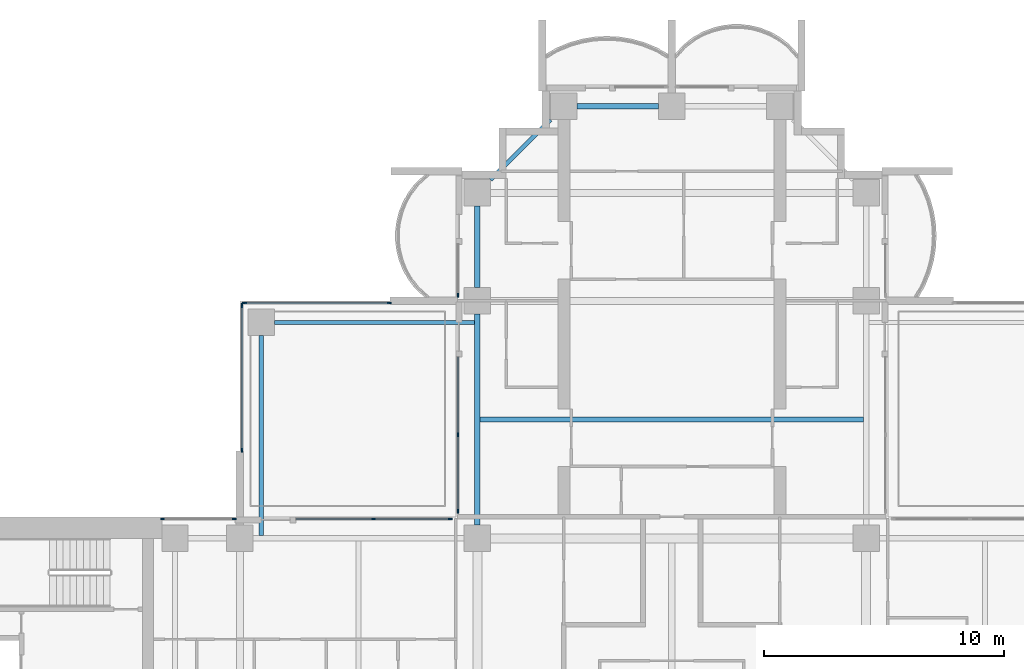
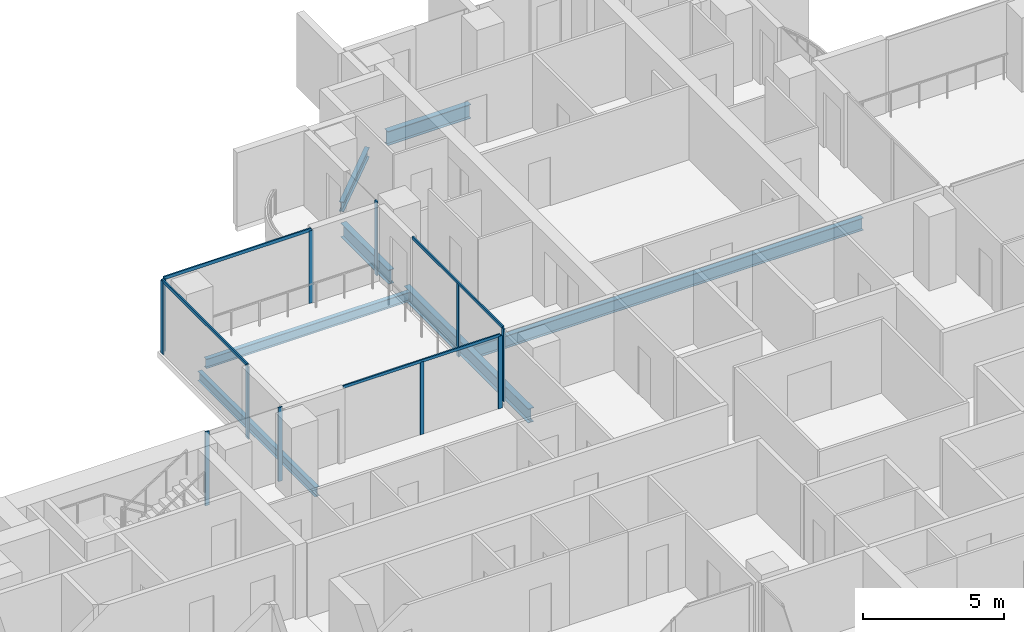
# One storey, part 5 of 19: 15 members, 7 beams, 6 elements without a shape of their own.
"""IFC4 building model written with IfcOpenShell, lengths in metres."""

from ifc_helpers import new_model, si_unit, direction, frame, origin, origin_2d, place, context, subcontext, project, spatial, rectangle, i_section, extrude, material, material_profile, profile_set, type_object, element, aggregate, save


model = new_model("IFC4")

# Units and contexts
model_context = context("Model", 3, precision=1e-05, world=origin(), true_north=direction((0.0, 1.0)))
body_context = subcontext(model_context, "Body", "Model", "MODEL_VIEW")
ifc_project = project(units=[si_unit("LENGTHUNIT", "METRE"), si_unit("AREAUNIT", "SQUARE_METRE"), si_unit("VOLUMEUNIT", "CUBIC_METRE"), si_unit("PLANEANGLEUNIT", "RADIAN"), si_unit("MASSUNIT", "GRAM", prefix="KILO")], contexts=[model_context])

# Site, building, storey
site_placement = place(None, origin())
site = spatial("IfcSite", under=ifc_project, at=site_placement, CompositionType="ELEMENT")
building_placement = place(site_placement, origin())
building = spatial("IfcBuilding", under=site, at=building_placement, Name="Perihelion Cross Residences", CompositionType="ELEMENT")
storey_placement = place(building_placement, frame((0.0, 0.0, 151.39990234375)))
storey = spatial("IfcBuildingStorey", under=building, at=storey_placement, Name="L37", CompositionType="ELEMENT", Elevation=151.39990234375)

# Curtain wall, member
ifc_material_1 = material(Name="Bronze anodised aluminium, tinted glazing", Category="aluminium")
curtain_wall_type_1 = type_object("IfcCurtainWallType", Name="CW1", PredefinedType="NOTDEFINED", material=ifc_material_1)
curtain_wall_1_placement = place(storey_placement, origin())
curtain_wall_1 = element("IfcCurtainWall", 1, at=curtain_wall_1_placement, inside=storey, type_object=curtain_wall_type_1, Name="Curtain wall CW1 L37 north side west bay 1", PredefinedType="NOTDEFINED")
ifc_material_2 = material(Name="Bronze anodised aluminium", Category="aluminium")
ifc_material_profile_1 = material_profile(ifc_material_2, rectangle(XDim=0.06005859375, YDim=0.159912109375, at=origin_2d()), Name="CW1 mullion")
ifc_profile_set_1 = profile_set([ifc_material_profile_1], Name="Bronze anodised aluminium")
member_type_1 = type_object("IfcMemberType", Name="CW1 mullion", PredefinedType="MULLION", material=ifc_profile_set_1)
member_1_placement = place(storey_placement, frame((-8.89990234375, 18.22998046875, 0.0), z_axis=(0.0, 0.0, 1.0), x_axis=(1.0, 0.0, 0.0)))
member_1 = element("IfcMember", 2, at=member_1_placement, type_object=member_type_1, Name="CW1 mullion 2", PredefinedType="MULLION", context=body_context, shape_type="SweptSolid", body=[
    extrude(rectangle(XDim=0.06005859375, YDim=0.159912109375, at=origin_2d()), origin(), (0.0, 0.0, 1.0), 3.2001953125),
])
aggregate(curtain_wall_1, [member_1])

# Curtain wall, members
curtain_wall_2_placement = place(storey_placement, origin())
curtain_wall_2 = element("IfcCurtainWall", 3, at=curtain_wall_2_placement, inside=storey, type_object=curtain_wall_type_1, Name="Curtain wall CW1 L37 north side west bay 2", PredefinedType="NOTDEFINED")
member_2_placement = place(storey_placement, frame((-8.89990234375, 12.425048828125, 0.0), z_axis=(0.0, 0.0, 1.0), x_axis=(1.0, 0.0, 0.0)))
member_2 = element("IfcMember", 4, at=member_2_placement, type_object=member_type_1, Name="CW1 mullion 2", PredefinedType="MULLION", context=body_context, shape_type="SweptSolid", body=[
    extrude(rectangle(XDim=0.06005859375, YDim=0.159912109375, at=origin_2d()), origin(), (0.0, 0.0, 1.0), 3.14013671875),
])
member_3_placement = place(storey_placement, frame((-8.89990234375, 9.22998046875, 0.0), z_axis=(0.0, 0.0, 1.0), x_axis=(1.0, 0.0, 0.0)))
member_3 = element("IfcMember", 5, at=member_3_placement, type_object=member_type_1, Name="CW1 mullion 3", PredefinedType="MULLION", context=body_context, shape_type="SweptSolid", body=[
    extrude(rectangle(XDim=0.06005859375, YDim=0.159912109375, at=origin_2d()), origin(), (0.0, 0.0, 1.0), 3.14013671875),
])

curtain_wall_3_placement = place(storey_placement, origin())
curtain_wall_3 = element("IfcCurtainWall", 6, at=curtain_wall_3_placement, inside=storey, type_object=curtain_wall_type_1, Name="Curtain wall CW1 L37 west side north bay 1", PredefinedType="NOTDEFINED")
member_4_placement = place(storey_placement, frame((-9.22998046875, 8.89990234375, 0.0), z_axis=(0.0, 0.0, 1.0), x_axis=(0.0, -1.0, 0.0)))
member_4 = element("IfcMember", 7, at=member_4_placement, type_object=member_type_1, Name="CW1 mullion 1", PredefinedType="MULLION", context=body_context, shape_type="SweptSolid", body=[
    extrude(rectangle(XDim=0.06005859375, YDim=0.159912109375, at=origin_2d()), origin(), (0.0, 0.0, 1.0), 3.14013671875),
])
member_5_placement = place(storey_placement, frame((-12.425048828125, 8.89990234375, 0.0), z_axis=(0.0, 0.0, 1.0), x_axis=(0.0, -1.0, 0.0)))
member_5 = element("IfcMember", 8, at=member_5_placement, type_object=member_type_1, Name="CW1 mullion 2", PredefinedType="MULLION", context=body_context, shape_type="SweptSolid", body=[
    extrude(rectangle(XDim=0.06005859375, YDim=0.159912109375, at=origin_2d()), origin(), (0.0, 0.0, 1.0), 3.14013671875),
])

curtain_wall_4_placement = place(storey_placement, origin())
curtain_wall_4 = element("IfcCurtainWall", 9, at=curtain_wall_4_placement, inside=storey, type_object=curtain_wall_type_1, Name="Curtain wall CW1 L37 west side north bay 2", PredefinedType="NOTDEFINED")
member_6_placement = place(storey_placement, frame((-18.22998046875, 8.89990234375, 0.0), z_axis=(0.0, 0.0, 1.0), x_axis=(0.0, -1.0, 0.0)))
member_6 = element("IfcMember", 10, at=member_6_placement, type_object=member_type_1, Name="CW1 mullion 1", PredefinedType="MULLION", context=body_context, shape_type="SweptSolid", body=[
    extrude(rectangle(XDim=0.06005859375, YDim=0.159912109375, at=origin_2d()), origin(), (0.0, 0.0, 1.0), 3.2001953125),
])
member_7_placement = place(storey_placement, frame((-21.219970703125, 8.89990234375, 0.0), z_axis=(0.0, 0.0, 1.0), x_axis=(0.0, -1.0, 0.0)))
member_7 = element("IfcMember", 11, at=member_7_placement, type_object=member_type_1, Name="CW1 mullion 2", PredefinedType="MULLION", context=body_context, shape_type="SweptSolid", body=[
    extrude(rectangle(XDim=0.06005859375, YDim=0.159912109375, at=origin_2d()), origin(), (0.0, 0.0, 1.0), 3.2001953125),
])
aggregate(curtain_wall_4, [member_6, member_7])

# Member
ifc_material_3 = material(Name="Bronze anodised aluminium", Category="aluminium")
ifc_material_profile_2 = material_profile(ifc_material_3, rectangle(XDim=0.06005859375, YDim=0.1201171875, at=origin_2d()), Name="CW1 transom")
ifc_profile_set_2 = profile_set([ifc_material_profile_2], Name="Bronze anodised aluminium")
member_type_2 = type_object("IfcMemberType", Name="CW1 transom", PredefinedType="USERDEFINED", material=ifc_profile_set_2)
member_8_placement = place(storey_placement, frame((-8.89990234375, 15.64990234375, 3.170166015625), z_axis=(0.0, -1.0, 0.0), x_axis=(1.0, 0.0, 0.0)))
member_8 = element("IfcMember", 12, at=member_8_placement, type_object=member_type_2, Name="CW1 head transom", ObjectType="TRANSOM", PredefinedType="USERDEFINED", context=body_context, shape_type="SweptSolid", body=[
    extrude(rectangle(XDim=0.06005859375, YDim=0.1201171875, at=origin_2d()), origin(), (0.0, 0.0, 1.0), 6.419921875),
])

aggregate(curtain_wall_2, [member_2, member_3, member_8])

member_9_placement = place(storey_placement, frame((-9.22998046875, 8.89990234375, 3.170166015625), z_axis=(-1.0, 0.0, 0.0), x_axis=(0.0, -1.0, 0.0)))
member_9 = element("IfcMember", 13, at=member_9_placement, type_object=member_type_2, Name="CW1 head transom", ObjectType="TRANSOM", PredefinedType="USERDEFINED", context=body_context, shape_type="SweptSolid", body=[
    extrude(rectangle(XDim=0.06005859375, YDim=0.1201171875, at=origin_2d()), origin(), (0.0, 0.0, 1.0), 6.419921875),
])

aggregate(curtain_wall_3, [member_4, member_5, member_9])

# Curtain wall, members
ifc_material_4 = material(Name="Bronze anodised aluminium, tinted glazing", Category="aluminium")
curtain_wall_type_2 = type_object("IfcCurtainWallType", Name="CW4", PredefinedType="NOTDEFINED", material=ifc_material_4)
curtain_wall_5_placement = place(storey_placement, origin())
curtain_wall_5 = element("IfcCurtainWall", 14, at=curtain_wall_5_placement, inside=storey, type_object=curtain_wall_type_2, Name="Curtain wall CW4 L37 pocket north-west 1 1", PredefinedType="NOTDEFINED")
ifc_material_5 = material(Name="Bronze anodised aluminium", Category="aluminium")
ifc_material_profile_3 = material_profile(ifc_material_5, rectangle(XDim=0.06005859375, YDim=0.179931640625, at=origin_2d()), Name="CW4 mullion")
ifc_profile_set_3 = profile_set([ifc_material_profile_3], Name="Bronze anodised aluminium")
member_type_3 = type_object("IfcMemberType", Name="CW4 mullion", PredefinedType="MULLION", material=ifc_profile_set_3)
member_10_placement = place(storey_placement, frame((-17.89990234375, 11.77001953125, 0.0), z_axis=(0.0, 0.0, 1.0), x_axis=(-1.0, 0.0, 0.0)))
member_10 = element("IfcMember", 15, at=member_10_placement, type_object=member_type_3, Name="CW4 mullion 1", PredefinedType="MULLION", context=body_context, shape_type="SweptSolid", body=[
    extrude(rectangle(XDim=0.06005859375, YDim=0.179931640625, at=origin_2d()), origin(), (0.0, 0.0, 1.0), 3.14013671875),
])
member_11_placement = place(storey_placement, frame((-17.89990234375, 17.800048828125, 0.0), z_axis=(0.0, 0.0, 1.0), x_axis=(-1.0, 0.0, 0.0)))
member_11 = element("IfcMember", 16, at=member_11_placement, type_object=member_type_3, Name="CW4 mullion 2", PredefinedType="MULLION", context=body_context, shape_type="SweptSolid", body=[
    extrude(rectangle(XDim=0.06005859375, YDim=0.179931640625, at=origin_2d()), origin(), (0.0, 0.0, 1.0), 3.14013671875),
])

curtain_wall_6_placement = place(storey_placement, origin())
curtain_wall_6 = element("IfcCurtainWall", 17, at=curtain_wall_6_placement, inside=storey, type_object=curtain_wall_type_2, Name="Curtain wall CW4 L37 pocket north-west 1 2", PredefinedType="NOTDEFINED")
member_12_placement = place(storey_placement, frame((-17.800048828125, 17.89990234375, 0.0), z_axis=(0.0, 0.0, 1.0), x_axis=(0.0, 1.0, 0.0)))
member_12 = element("IfcMember", 18, at=member_12_placement, type_object=member_type_3, Name="CW4 mullion 1", PredefinedType="MULLION", context=body_context, shape_type="SweptSolid", body=[
    extrude(rectangle(XDim=0.06005859375, YDim=0.179931640625, at=origin_2d()), origin(), (0.0, 0.0, 1.0), 3.14013671875),
])
member_13_placement = place(storey_placement, frame((-11.77001953125, 17.89990234375, 0.0), z_axis=(0.0, 0.0, 1.0), x_axis=(0.0, 1.0, 0.0)))
member_13 = element("IfcMember", 19, at=member_13_placement, type_object=member_type_3, Name="CW4 mullion 2", PredefinedType="MULLION", context=body_context, shape_type="SweptSolid", body=[
    extrude(rectangle(XDim=0.06005859375, YDim=0.179931640625, at=origin_2d()), origin(), (0.0, 0.0, 1.0), 3.14013671875),
])

# Member
ifc_material_6 = material(Name="Bronze anodised aluminium", Category="aluminium")
ifc_material_profile_4 = material_profile(ifc_material_6, rectangle(XDim=0.06005859375, YDim=0.139892578125, at=origin_2d()), Name="CW4 transom")
ifc_profile_set_4 = profile_set([ifc_material_profile_4], Name="Bronze anodised aluminium")
member_type_4 = type_object("IfcMemberType", Name="CW4 transom", PredefinedType="USERDEFINED", material=ifc_profile_set_4)
member_14_placement = place(storey_placement, frame((-17.89990234375, 11.77001953125, 3.170166015625), z_axis=(0.0, 1.0, 0.0), x_axis=(-1.0, 0.0, 0.0)))
member_14 = element("IfcMember", 20, at=member_14_placement, type_object=member_type_4, Name="CW4 head transom", ObjectType="TRANSOM", PredefinedType="USERDEFINED", context=body_context, shape_type="SweptSolid", body=[
    extrude(rectangle(XDim=0.06005859375, YDim=0.139892578125, at=origin_2d()), origin(), (0.0, 0.0, 1.0), 6.030029296875),
])

aggregate(curtain_wall_5, [member_10, member_11, member_14])

member_15_placement = place(storey_placement, frame((-17.800048828125, 17.89990234375, 3.170166015625), z_axis=(1.0, 0.0, 0.0), x_axis=(0.0, 1.0, 0.0)))
member_15 = element("IfcMember", 21, at=member_15_placement, type_object=member_type_4, Name="CW4 head transom", ObjectType="TRANSOM", PredefinedType="USERDEFINED", context=body_context, shape_type="SweptSolid", body=[
    extrude(rectangle(XDim=0.06005859375, YDim=0.139892578125, at=origin_2d()), origin(), (0.0, 0.0, 1.0), 6.030029296875),
])

aggregate(curtain_wall_6, [member_12, member_13, member_15])

# Beams
ifc_material_7 = material(Name="Steel S355", Category="steel")
ifc_material_profile_5 = material_profile(ifc_material_7, i_section(OverallWidth=0.177978515625, OverallDepth=0.406005859375, WebThickness=0.0078125, FlangeThickness=0.0126953125, at=origin_2d()), Name="W410x60")
ifc_profile_set_5 = profile_set([ifc_material_profile_5], Name="Steel S355")
beam_type_1 = type_object("IfcBeamType", Name="Core edge beam W410x60", PredefinedType="BEAM", material=ifc_profile_set_5)
for number, where, z_axis, x_axis, name in (
    (22, (-17.10009765625, 8.214599609375, -0.452880859375), (0.0, 1.0, 0.0), (-1.0, 0.0, 0.0), "Core edge beam TB2 L37 corner no. 3"),
    (23, (-8.214599609375, 17.10009765625, -0.452880859375), (-1.0, 0.0, 0.0), (0.0, -1.0, 0.0), "Core edge beam TB2 L37 corner no. 4"),
):
    element("IfcBeam", number, at=place(storey_placement, frame(where, z_axis=z_axis, x_axis=x_axis)), inside=storey, type_object=beam_type_1, Name=name, PredefinedType="BEAM", context=body_context, shape_type="SweptSolid", body=[
        extrude(i_section(OverallWidth=0.177978515625, OverallDepth=0.406005859375, WebThickness=0.0078125, FlangeThickness=0.0126953125, at=origin_2d()), origin(), (0.0, 0.0, 1.0), 8.33544921875),
    ])
ifc_material_8 = material(Name="Steel S355", Category="steel")
ifc_material_profile_6 = material_profile(ifc_material_8, i_section(OverallWidth=0.22900390625, OverallDepth=0.612060546875, WebThickness=0.011962890625, FlangeThickness=0.01953125, at=origin_2d()), Name="W610x125")
ifc_profile_set_6 = profile_set([ifc_material_profile_6], Name="Steel S355")
beam_type_2 = type_object("IfcBeamType", Name="Edge beam W610x125", PredefinedType="SPANDREL", material=ifc_profile_set_6)
for number, where, z_axis, x_axis, name in (
    (24, (-0.550048828125, 26.10009765625, -0.555908203125), (-1.0, 0.0, 0.0), (0.0, -1.0, 0.0), "Edge beam SB3 L37 no. 10"),
    (25, (-8.10009765625, 21.949951171875, -0.555908203125), (0.0, -1.0, 0.0), (1.0, 0.0, 0.0), "Edge beam SB3 L37 no. 7"),
):
    element("IfcBeam", number, at=place(storey_placement, frame(where, z_axis=z_axis, x_axis=x_axis)), inside=storey, type_object=beam_type_2, Name=name, PredefinedType="SPANDREL", context=body_context, shape_type="SweptSolid", body=[
        extrude(i_section(OverallWidth=0.22900390625, OverallDepth=0.612060546875, WebThickness=0.011962890625, FlangeThickness=0.01953125, at=origin_2d()), origin(), (0.0, 0.0, 1.0), 3.39990234375),
    ])
beam_1_placement = place(storey_placement, frame((-8.10009765625, 17.449951171875, -0.555908203125), z_axis=(0.0, -1.0, 0.0), x_axis=(1.0, 0.0, 0.0)))
element("IfcBeam", 26, at=beam_1_placement, inside=storey, type_object=beam_type_2, Name="Edge beam SB3 L37 no. 6", PredefinedType="SPANDREL", context=body_context, shape_type="SweptSolid", body=[
    extrude(i_section(OverallWidth=0.22900390625, OverallDepth=0.612060546875, WebThickness=0.011962890625, FlangeThickness=0.01953125, at=origin_2d()), origin(), (0.0, 0.0, 1.0), 8.800048828125),
])
ifc_material_9 = material(Name="Steel S355", Category="steel")
ifc_material_profile_7 = material_profile(ifc_material_9, i_section(OverallWidth=0.208984375, OverallDepth=0.532958984375, WebThickness=0.01025390625, FlangeThickness=0.015625, at=origin_2d()), Name="W530x92")
ifc_profile_set_7 = profile_set([ifc_material_profile_7], Name="Steel S355")
beam_type_3 = type_object("IfcBeamType", Name="Floor joist W530x92", PredefinedType="JOIST", material=ifc_profile_set_7)
beam_2_placement = place(storey_placement, frame((-7.985595703125, 13.050048828125, -0.516357421875), z_axis=(1.0, 0.0, 0.0), x_axis=(0.0, 1.0, 0.0)))
element("IfcBeam", 27, at=beam_2_placement, inside=storey, type_object=beam_type_3, Name="Joist J4 L37 no. 4", PredefinedType="JOIST", context=body_context, shape_type="SweptSolid", body=[
    extrude(i_section(OverallWidth=0.208984375, OverallDepth=0.532958984375, WebThickness=0.01025390625, FlangeThickness=0.015625, at=origin_2d()), origin(), (0.0, 0.0, 1.0), 15.97119140625),
])
ifc_material_10 = material(Name="Steel S355", Category="steel")
ifc_material_profile_8 = material_profile(ifc_material_10, i_section(OverallWidth=0.180908203125, OverallDepth=0.4169921875, WebThickness=0.010986328125, FlangeThickness=0.018310546875, at=origin_2d()), Name="W410x85")
ifc_profile_set_8 = profile_set([ifc_material_profile_8], Name="Steel S355")
beam_type_4 = type_object("IfcBeamType", Name="Serration edge beam W410x85", PredefinedType="BEAM", material=ifc_profile_set_8)
beam_3_placement = place(storey_placement, frame((-5.050048828125, 25.550048828125, -0.45849609375), z_axis=(-0.707106781187, -0.707106781187, 0.0), x_axis=(0.707106781187, -0.707106781187, 0.0)))
element("IfcBeam", 28, at=beam_3_placement, inside=storey, type_object=beam_type_4, Name="Serration edge beam EB3 L37 no. 1", PredefinedType="BEAM", context=body_context, shape_type="SweptSolid", body=[
    extrude(i_section(OverallWidth=0.180908203125, OverallDepth=0.4169921875, WebThickness=0.010986328125, FlangeThickness=0.018310546875, at=origin_2d()), origin(), (0.0, 0.0, 1.0), 3.53564453125),
])

save(model, "model.ifc")
